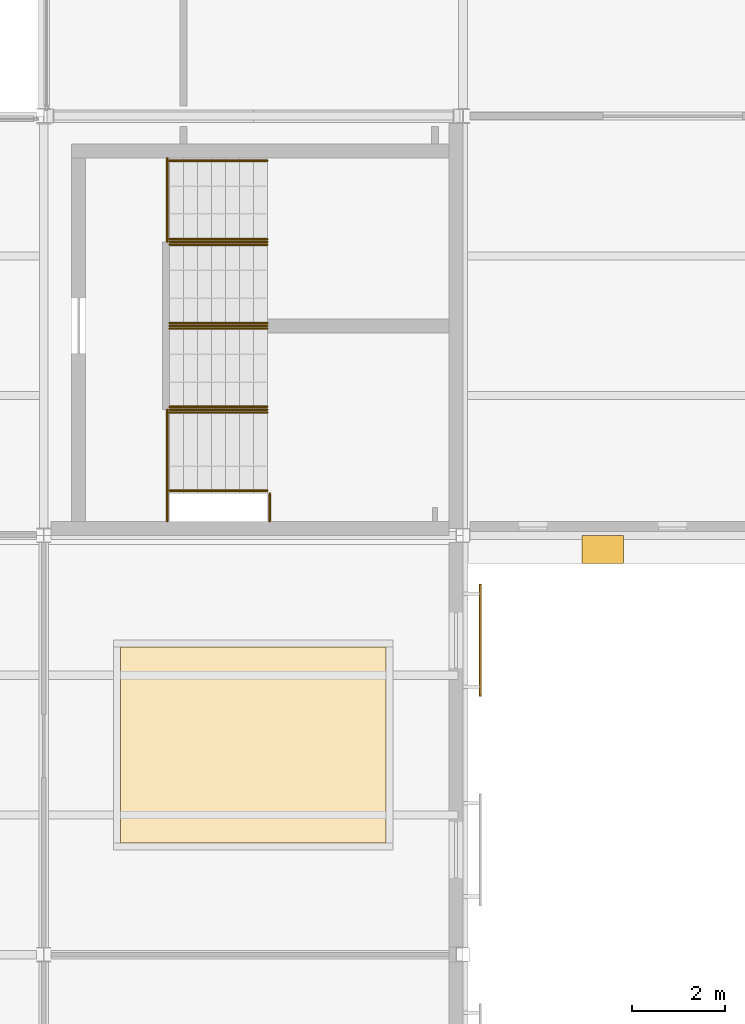
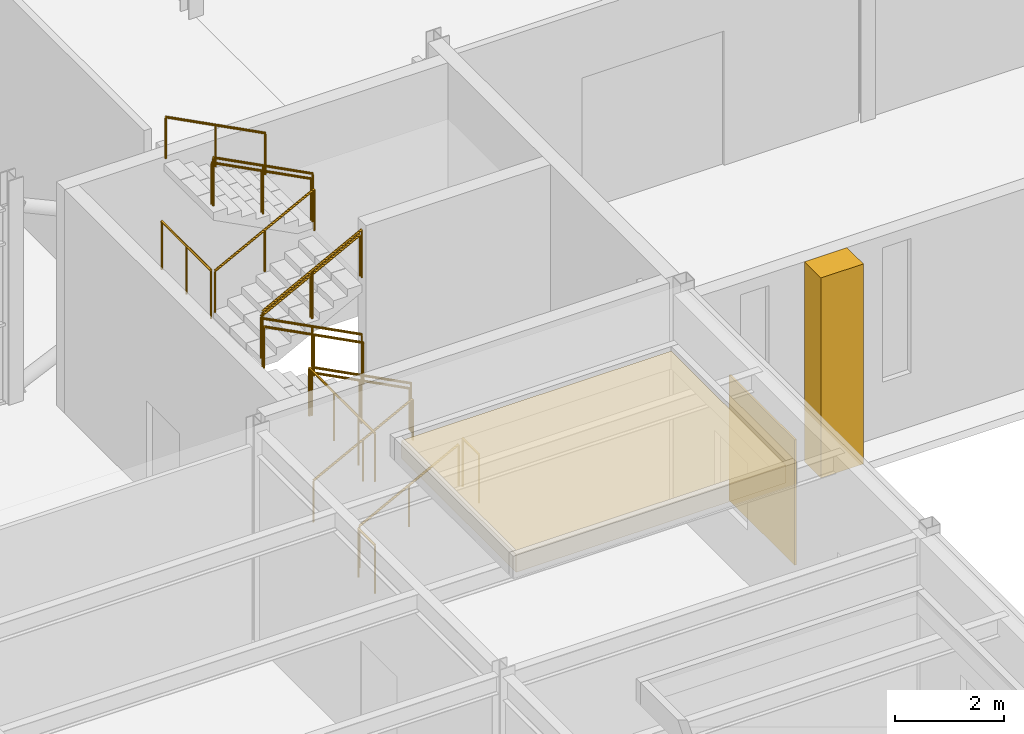
# One storey, part 111 of 115: 17 railings, 2 shading devices, 1 covering.
"""IFC4 building model written with IfcOpenShell, lengths in metres."""

from ifc_helpers import new_model, si_unit, direction, frame, origin, origin_2d, place, context, subcontext, project, spatial, polyline, rectangle, circle, outline, extrude, material, layer, layer_set, type_object, element, save


model = new_model("IFC4")

# Units and contexts
model_context = context("Model", 3, precision=1e-05, world=origin(), true_north=direction((0.0, 1.0)))
body_context = subcontext(model_context, "Body", "Model", "MODEL_VIEW")
ifc_project = project(units=[si_unit("LENGTHUNIT", "METRE"), si_unit("AREAUNIT", "SQUARE_METRE"), si_unit("VOLUMEUNIT", "CUBIC_METRE"), si_unit("PLANEANGLEUNIT", "RADIAN"), si_unit("MASSUNIT", "GRAM", prefix="KILO")], contexts=[model_context])

# Site, building, storey
site_placement = place(None, origin())
site = spatial("IfcSite", under=ifc_project, at=site_placement, CompositionType="ELEMENT")
building_placement = place(site_placement, origin())
building = spatial("IfcBuilding", under=site, at=building_placement, Name="Shorebreak Coast Museum", CompositionType="ELEMENT")
storey_placement = place(building_placement, frame((0.0, 0.0, 11.0)))
storey = spatial("IfcBuildingStorey", under=building, at=storey_placement, Name="L02", CompositionType="ELEMENT", Elevation=11.0)

# Shading devices
ifc_material_1 = material(Name="Aluminium", Category="aluminium")
ifc_layer_1 = layer(ifc_material_1, 0.0400390625)
ifc_layer_set_1 = layer_set([ifc_layer_1], Name="Aluminium")
shading_device_type_1 = type_object("IfcShadingDeviceType", Name="Perforated aluminium screen 2400 x 2800", PredefinedType="USERDEFINED", material=ifc_layer_set_1)
shading_device_1_placement = place(storey_placement, frame((117.3701171875, 51.75, 0.5498046875), z_axis=(0.0, 0.0, 1.0), x_axis=(1.0, 0.0, 0.0)))
element("IfcShadingDevice", 1, at=shading_device_1_placement, inside=storey, type_object=shading_device_type_1, Name="Perforated screen L02 E28", ObjectType="LOUVRE", PredefinedType="USERDEFINED", context=body_context, shape_type="SweptSolid", body=[
    extrude(rectangle(XDim=0.0400390625, YDim=2.39990234375, at=origin_2d()), origin(), (0.0, 0.0, 1.0), 2.800048828125),
])
ifc_material_2 = material(Name="Precast concrete C40/50", Category="concrete")
ifc_layer_2 = layer(ifc_material_2, 0.89990234375)
ifc_layer_set_2 = layer_set([ifc_layer_2], Name="Precast concrete C40/50")
shading_device_type_2 = type_object("IfcShadingDeviceType", Name="Precast rib 900 x 600", PredefinedType="USERDEFINED", material=ifc_layer_set_2)
shading_device_2_placement = place(storey_placement, frame((120.0, 53.699951171875, 0.0), z_axis=(0.0, 0.0, 1.0), x_axis=(1.0, 0.0, 0.0)))
element("IfcShadingDevice", 2, at=shading_device_2_placement, inside=storey, type_object=shading_device_type_2, Name="Precast rib L02 S20", ObjectType="FIN", PredefinedType="USERDEFINED", context=body_context, shape_type="SweptSolid", body=[
    extrude(rectangle(XDim=0.89990234375, YDim=0.60009765625, at=origin_2d()), origin(), (0.0, 0.0, 1.0), 4.469482421875),
])

# Covering
ifc_material_3 = material(Name="Growing medium")
ifc_layer_3 = layer(ifc_material_3, 0.39990234375)
ifc_layer_set_3 = layer_set([ifc_layer_3], Name="Growing medium")
covering_type = type_object("IfcCoveringType", Name="Roof garden planting 400", PredefinedType="FLOORING", material=ifc_layer_set_3)
covering_placement = place(storey_placement, frame((0.0, 0.0, 5.0)))
element("IfcCovering", 3, at=covering_placement, inside=storey, type_object=covering_type, Name="Roof garden planting", PredefinedType="FLOORING", context=body_context, shape_type="SweptSolid", body=[
    extrude(outline(polyline([(115.35009765625, 47.39990234375), (115.35009765625, 51.60009765625), (109.64990234375, 51.60009765625), (109.64990234375, 47.39990234375), (115.35009765625, 47.39990234375)])), origin(), (0.0, 0.0, 1.0), 0.39990234375),
])

# Railings
ifc_material_4 = material(Name="Steel Grade 300", Category="steel")
railing_type_1 = type_object("IfcRailingType", Name="Stair guard 1100", PredefinedType="GUARDRAIL", material=ifc_material_4)
for number, where, name in (
    (4, (110.64990234375, 54.89990234375, 2.5), "Guard ST02 L02 landing mid1"),
    (5, (110.64990234375, 60.300048828125, 2.5), "Guard ST02 L02 landing mid1"),
):
    element("IfcRailing", number, at=place(storey_placement, frame(where)), inside=storey, type_object=railing_type_1, Name=name, PredefinedType="GUARDRAIL", context=body_context, shape_type="SweptSolid", body=[
        extrude(circle(Radius=0.02490234375, at=origin_2d()), frame((0.0, 0.0, 1.0751953125), z_axis=(0.0, 1.0, 0.0), x_axis=(-1.0, 0.0, 0.0)), (0.0, 0.0, 1.0), 1.800048828125),
        extrude(circle(Radius=0.02001953125, at=origin_2d()), origin(), (0.0, 0.0, 1.0), 1.050048828125),
        extrude(circle(Radius=0.02001953125, at=origin_2d()), frame((0.0, 0.89990234375, 0.0)), (0.0, 0.0, 1.0), 1.050048828125),
        extrude(circle(Radius=0.02001953125, at=origin_2d()), frame((0.0, 1.800048828125, 0.0)), (0.0, 0.0, 1.0), 1.050048828125),
    ])
for number, where, name in (
    (6, (110.64990234375, 54.300048828125, 0.0), "Guard ST02 L02 landing strip"),
    (7, (110.64990234375, 54.300048828125, 2.5), "Guard ST02 L02 landing strip"),
    (8, (112.85009765625, 54.300048828125, 1.25), "Guard ST02 L02 landing strip"),
):
    element("IfcRailing", number, at=place(storey_placement, frame(where)), inside=storey, type_object=railing_type_1, Name=name, PredefinedType="GUARDRAIL", context=body_context, shape_type="SweptSolid", body=[
        extrude(circle(Radius=0.02490234375, at=origin_2d()), frame((0.0, 0.0, 1.0751953125), z_axis=(0.0, 1.0, 0.0), x_axis=(-1.0, 0.0, 0.0)), (0.0, 0.0, 1.0), 0.599853515625),
        extrude(circle(Radius=0.02001953125, at=origin_2d()), origin(), (0.0, 0.0, 1.0), 1.050048828125),
        extrude(circle(Radius=0.02001953125, at=origin_2d()), frame((0.0, 0.599853515625, 0.0)), (0.0, 0.0, 1.0), 1.050048828125),
    ])
for number, where, name in (
    (9, (112.800048828125, 56.699951171875, 1.40625), "Guard ST02-L02 well 1"),
    (10, (112.800048828125, 60.300048828125, 3.90625), "Guard ST02-L02 well 2"),
    (11, (112.800048828125, 58.5, 1.40625), "Guard ST02-L02 side 1"),
):
    element("IfcRailing", number, at=place(storey_placement, frame(where)), inside=storey, type_object=railing_type_1, Name=name, PredefinedType="GUARDRAIL", context=body_context, shape_type="SweptSolid", body=[
        extrude(circle(Radius=0.02490234375, at=origin_2d()), frame((0.0, 0.0, 1.0751953125), z_axis=(-0.8869228845, 0.0, 0.461917521804), x_axis=(0.0, -1.0, 0.0)), (0.0, 0.0, 1.0), 2.367919921875),
        extrude(circle(Radius=0.02001953125, at=origin_2d()), origin(), (0.0, 0.0, 1.0), 1.050048828125),
        extrude(circle(Radius=0.02001953125, at=origin_2d()), frame((-1.050048828125, 0.0, 0.546875)), (0.0, 0.0, 1.0), 1.050048828125),
        extrude(circle(Radius=0.02001953125, at=origin_2d()), frame((-2.10009765625, 0.0, 1.09375)), (0.0, 0.0, 1.0), 1.050048828125),
    ])
railing_placement = place(storey_placement, frame((110.699951171875, 58.5, 2.65625)))
element("IfcRailing", 12, at=railing_placement, inside=storey, type_object=railing_type_1, Name="Guard ST02-L02 side 2", PredefinedType="GUARDRAIL", context=body_context, shape_type="SweptSolid", body=[
    extrude(circle(Radius=0.02490234375, at=origin_2d()), frame((0.0, 0.0, 1.0751953125), z_axis=(0.8869228845, 0.0, 0.461917521804), x_axis=(0.0, 1.0, 0.0)), (0.0, 0.0, 1.0), 2.367919921875),
    extrude(circle(Radius=0.02001953125, at=origin_2d()), origin(), (0.0, 0.0, 1.0), 1.050048828125),
    extrude(circle(Radius=0.02001953125, at=origin_2d()), frame((1.050048828125, 0.0, 0.546875)), (0.0, 0.0, 1.0), 1.050048828125),
    extrude(circle(Radius=0.02001953125, at=origin_2d()), frame((2.10009765625, 0.0, 1.09375)), (0.0, 0.0, 1.0), 1.050048828125),
])
ifc_material_5 = material(Name="Steel Grade 300", Category="steel")
railing_type_2 = type_object("IfcRailingType", Name="Stair handrail 950", PredefinedType="HANDRAIL", material=ifc_material_5)
for number, where, name in (
    (13, (110.699951171875, 54.9599609375, 0.15625), "Handrail ST02-L02 flight 1a"),
    (14, (110.699951171875, 56.639892578125, 0.15625), "Handrail ST02-L02 flight 1b"),
):
    element("IfcRailing", number, at=place(storey_placement, frame(where)), inside=storey, type_object=railing_type_2, Name=name, PredefinedType="HANDRAIL", context=body_context, shape_type="SweptSolid", body=[
        extrude(circle(Radius=0.02490234375, at=origin_2d()), frame((0.0, 0.0, 0.9248046875), z_axis=(0.8869228845, 0.0, 0.461917521804), x_axis=(0.0, 1.0, 0.0)), (0.0, 0.0, 1.0), 2.367919921875),
        extrude(circle(Radius=0.02001953125, at=origin_2d()), origin(), (0.0, 0.0, 1.0), 0.89990234375),
        extrude(circle(Radius=0.02001953125, at=origin_2d()), frame((1.050048828125, 0.0, 0.546875)), (0.0, 0.0, 1.0), 0.89990234375),
        extrude(circle(Radius=0.02001953125, at=origin_2d()), frame((2.10009765625, 0.0, 1.09375)), (0.0, 0.0, 1.0), 0.89990234375),
    ])
for number, where, name in (
    (15, (112.800048828125, 56.760009765625, 1.40625), "Handrail ST02-L02 flight 2a"),
    (16, (112.800048828125, 58.43994140625, 1.40625), "Handrail ST02-L02 flight 2b"),
):
    element("IfcRailing", number, at=place(storey_placement, frame(where)), inside=storey, type_object=railing_type_2, Name=name, PredefinedType="HANDRAIL", context=body_context, shape_type="SweptSolid", body=[
        extrude(circle(Radius=0.02490234375, at=origin_2d()), frame((0.0, 0.0, 0.9248046875), z_axis=(-0.8869228845, 0.0, 0.461917521804), x_axis=(0.0, -1.0, 0.0)), (0.0, 0.0, 1.0), 2.367919921875),
        extrude(circle(Radius=0.02001953125, at=origin_2d()), origin(), (0.0, 0.0, 1.0), 0.89990234375),
        extrude(circle(Radius=0.02001953125, at=origin_2d()), frame((-1.050048828125, 0.0, 0.546875)), (0.0, 0.0, 1.0), 0.89990234375),
        extrude(circle(Radius=0.02001953125, at=origin_2d()), frame((-2.10009765625, 0.0, 1.09375)), (0.0, 0.0, 1.0), 0.89990234375),
    ])
for number, where, name in (
    (17, (110.699951171875, 58.56005859375, 2.65625), "Handrail ST02-L02 flight 3a"),
    (18, (110.699951171875, 60.239990234375, 2.65625), "Handrail ST02-L02 flight 3b"),
):
    element("IfcRailing", number, at=place(storey_placement, frame(where)), inside=storey, type_object=railing_type_2, Name=name, PredefinedType="HANDRAIL", context=body_context, shape_type="SweptSolid", body=[
        extrude(circle(Radius=0.02490234375, at=origin_2d()), frame((0.0, 0.0, 0.9248046875), z_axis=(0.8869228845, 0.0, 0.461917521804), x_axis=(0.0, 1.0, 0.0)), (0.0, 0.0, 1.0), 2.367919921875),
        extrude(circle(Radius=0.02001953125, at=origin_2d()), origin(), (0.0, 0.0, 1.0), 0.89990234375),
        extrude(circle(Radius=0.02001953125, at=origin_2d()), frame((1.050048828125, 0.0, 0.546875)), (0.0, 0.0, 1.0), 0.89990234375),
        extrude(circle(Radius=0.02001953125, at=origin_2d()), frame((2.10009765625, 0.0, 1.09375)), (0.0, 0.0, 1.0), 0.89990234375),
    ])
for number, where, name in (
    (19, (112.800048828125, 60.360107421875, 3.90625), "Handrail ST02-L02 flight 4a"),
    (20, (112.800048828125, 62.0400390625, 3.90625), "Handrail ST02-L02 flight 4b"),
):
    element("IfcRailing", number, at=place(storey_placement, frame(where)), inside=storey, type_object=railing_type_2, Name=name, PredefinedType="HANDRAIL", context=body_context, shape_type="SweptSolid", body=[
        extrude(circle(Radius=0.02490234375, at=origin_2d()), frame((0.0, 0.0, 0.9248046875), z_axis=(-0.8869228845, 0.0, 0.461917521804), x_axis=(0.0, -1.0, 0.0)), (0.0, 0.0, 1.0), 2.367919921875),
        extrude(circle(Radius=0.02001953125, at=origin_2d()), origin(), (0.0, 0.0, 1.0), 0.89990234375),
        extrude(circle(Radius=0.02001953125, at=origin_2d()), frame((-1.050048828125, 0.0, 0.546875)), (0.0, 0.0, 1.0), 0.89990234375),
        extrude(circle(Radius=0.02001953125, at=origin_2d()), frame((-2.10009765625, 0.0, 1.09375)), (0.0, 0.0, 1.0), 0.89990234375),
    ])

save(model, "model.ifc")
